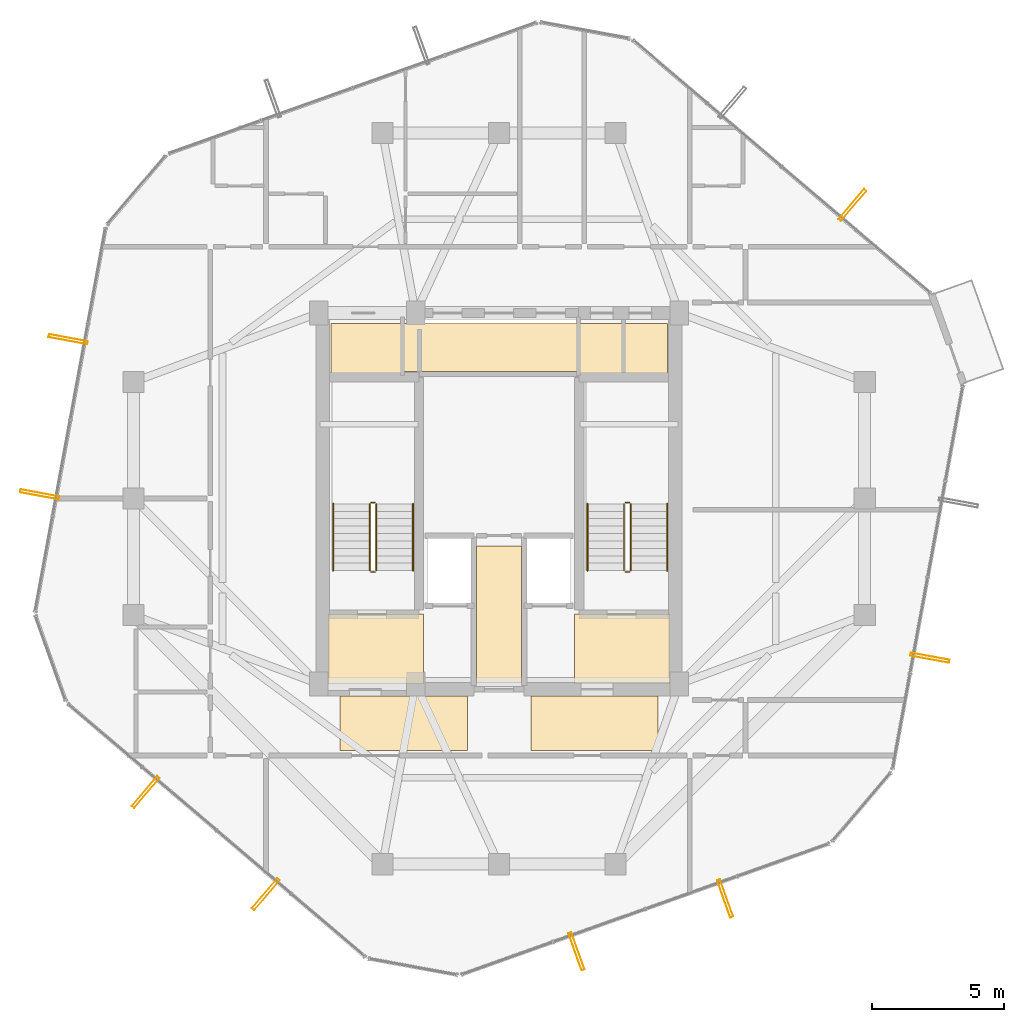
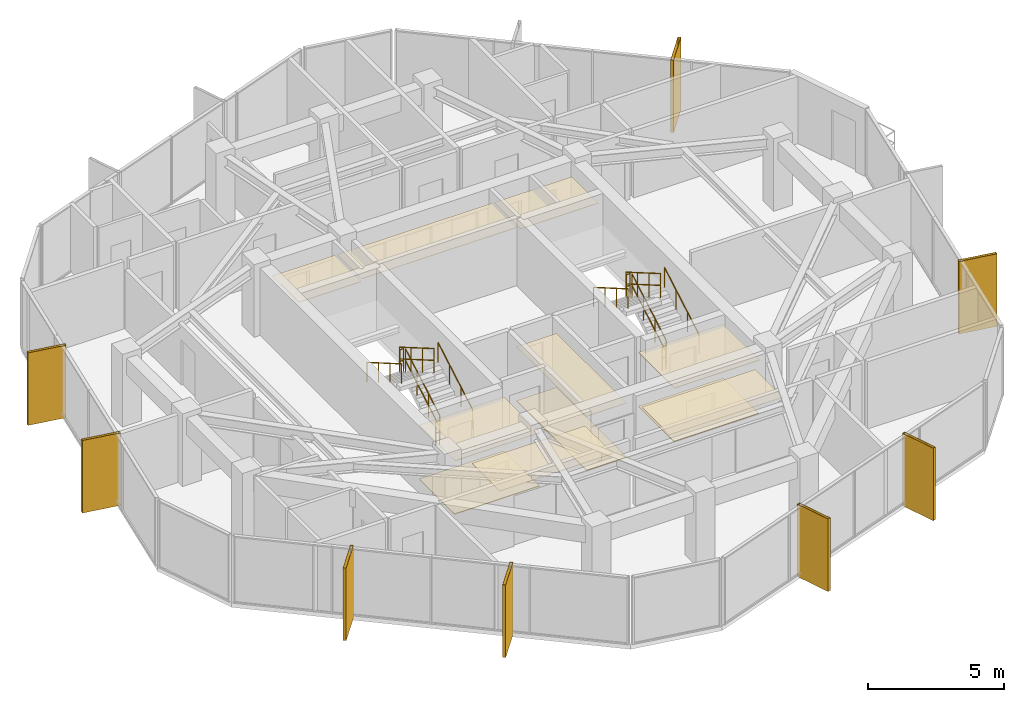
# One storey, part 28 of 29: 12 railings, 11 coverings, 8 shading devices.
"""IFC4 building model written with IfcOpenShell, lengths in metres."""

from ifc_helpers import new_model, si_unit, direction, frame, origin, origin_2d, place, context, subcontext, project, spatial, polyline, hollow_rectangle, circle, outline, extrude, material, layer, layer_set, material_profile, profile_set, type_object, element, save


model = new_model("IFC4")

# Units and contexts
model_context = context("Model", 3, precision=1e-05, world=origin(), true_north=direction((0.0, 1.0)))
body_context = subcontext(model_context, "Body", "Model", "MODEL_VIEW")
ifc_project = project(units=[si_unit("LENGTHUNIT", "METRE"), si_unit("AREAUNIT", "SQUARE_METRE"), si_unit("VOLUMEUNIT", "CUBIC_METRE"), si_unit("PLANEANGLEUNIT", "RADIAN"), si_unit("MASSUNIT", "GRAM", prefix="KILO")], contexts=[model_context])

# Site, building, storey
site_placement = place(None, origin())
site = spatial("IfcSite", under=ifc_project, at=site_placement, CompositionType="ELEMENT")
building_placement = place(site_placement, origin())
building = spatial("IfcBuilding", under=site, at=building_placement, Name="Veraguas Prism Commons", CompositionType="ELEMENT")
storey_placement = place(building_placement, frame((0.0, 0.0, 244.75)))
storey = spatial("IfcBuildingStorey", under=building, at=storey_placement, Name="L69", CompositionType="ELEMENT", Elevation=244.75)

# Shading devices
ifc_material_1 = material(Name="Anodised aluminium EN AW-6063 T6", Category="aluminium")
ifc_material_profile = material_profile(ifc_material_1, hollow_rectangle(XDim=0.1201171875, YDim=1.489990234375, WallThickness=0.006103515625, at=origin_2d()), Name="FIN120X1490X6")
ifc_profile_set = profile_set([ifc_material_profile], Name="Anodised aluminium EN AW-6063 T6")
shading_device_type = type_object("IfcShadingDeviceType", Name="Deep Pale-Metal Vertical Solar Fin 120x1490", PredefinedType="USERDEFINED", material=ifc_profile_set)
for number, where, z_axis, x_axis, name in (
    (1, (37.3369140625, 35.076904296875, -0.215087890625), (0.0, 0.0, 1.0), (-0.761538307537, 0.648119901063, 0.0), "Vertical Pale-Metal Solar Fin L69-F1A"),
    (2, (7.738525390625, 30.01171875, -0.215087890625), (0.0, 0.0, 1.0), (-0.180519145251, -0.983571470813, 0.0), "Vertical Pale-Metal Solar Fin L69-F3A"),
    (3, (6.663818359375, 24.15478515625, -0.215087890625), (0.0, 0.0, 1.0), (-0.180519145251, -0.983571470813, 0.0), "Vertical Pale-Metal Solar Fin L69-F3B"),
    (4, (10.6630859375, 12.923095703125, -0.215087890625), (0.0, 0.0, 1.0), (0.761538307537, -0.648119901063, 0.0), "Vertical Pale-Metal Solar Fin L69-F4A"),
    (5, (15.19775390625, 9.063720703125, -0.215087890625), (0.0, 0.0, 1.0), (0.761538307537, -0.648119901063, 0.0), "Vertical Pale-Metal Solar Fin L69-F4B"),
    (6, (26.924560546875, 6.911376953125, -0.215087890625), (0.0, 0.0, 1.0), (0.942056281835, 0.335454858149, 0.0), "Vertical Pale-Metal Solar Fin L69-F5A"),
    (7, (32.5341796875, 8.908935546875, -0.215087890625), (0.0, 0.0, 1.0), (0.942056281835, 0.335454858149, 0.0), "Vertical Pale-Metal Solar Fin L69-F5B"),
    (8, (40.261474609375, 17.98828125, -0.215087890625), (0.0, 0.0, 1.0), (0.180519145251, 0.983571470813, 0.0), "Vertical Pale-Metal Solar Fin L69-F6A"),
):
    element("IfcShadingDevice", number, at=place(storey_placement, frame(where, z_axis=z_axis, x_axis=x_axis)), inside=storey, type_object=shading_device_type, Name=name, ObjectType="FIN", PredefinedType="USERDEFINED", context=body_context, shape_type="SweptSolid", body=[
        extrude(hollow_rectangle(XDim=0.1201171875, YDim=1.489990234375, WallThickness=0.006103515625, at=origin_2d()), origin(), (0.0, 0.0, 1.0), 3.25),
    ])

# Coverings
ifc_material_2 = material(Name="Acoustic gypsum board")
ifc_layer_1 = layer(ifc_material_2, 0.02490234375, Name="Perforated Acoustic Ceiling Tile 25")
ifc_layer_set_1 = layer_set([ifc_layer_1], Name="Acoustic gypsum board")
covering_type_1 = type_object("IfcCoveringType", Name="Perforated Acoustic Ceiling Tile 25", PredefinedType="USERDEFINED", material=ifc_layer_set_1)
covering_1_placement = place(storey_placement, frame((0.0, 0.0, 2.425048828125)))
element("IfcCovering", 9, at=covering_1_placement, inside=storey, type_object=covering_type_1, Name="East Lobby Acoustic Ceiling L69", ObjectType="ACOUSTIC CEILING", PredefinedType="USERDEFINED", context=body_context, shape_type="SweptSolid", body=[
    extrude(outline(polyline([(26.85009765625, 17.0), (30.449951171875, 17.0), (30.449951171875, 19.64990234375), (26.85009765625, 19.64990234375), (26.85009765625, 17.0)])), origin(), (0.0, 0.0, 1.0), 0.02490234375),
])
ifc_material_3 = material(Name="Terrazzo stone finish", Category="masonry")
ifc_layer_2 = layer(ifc_material_3, 0.030029296875, Name="Polished Terrazzo Floor Finish 30", Category="masonry")
ifc_layer_set_2 = layer_set([ifc_layer_2], Name="Terrazzo stone finish")
covering_type_2 = type_object("IfcCoveringType", Name="Polished Terrazzo Floor Finish 30", PredefinedType="FLOORING", material=ifc_layer_set_2)
covering_2_placement = place(storey_placement, origin())
element("IfcCovering", 10, at=covering_2_placement, inside=storey, type_object=covering_type_2, Name="Terrazzo Lobby Flooring L69", PredefinedType="FLOORING", context=body_context, shape_type="SweptSolid", body=[
    extrude(outline(polyline([(23.14990234375, 17.050048828125), (24.85009765625, 17.050048828125), (24.85009765625, 22.199951171875), (23.14990234375, 22.199951171875), (23.14990234375, 17.050048828125)])), origin(), (0.0, 0.0, 1.0), 0.030029296875),
])
covering_3_placement = place(storey_placement, origin())
element("IfcCovering", 11, at=covering_3_placement, inside=storey, type_object=covering_type_2, Name="West FF Lobby Terrazzo Flooring L69", PredefinedType="FLOORING", context=body_context, shape_type="SweptSolid", body=[
    extrude(outline(polyline([(17.550048828125, 17.050048828125), (21.14990234375, 17.050048828125), (21.14990234375, 19.64990234375), (17.550048828125, 19.64990234375), (17.550048828125, 17.050048828125)])), origin(), (0.0, 0.0, 1.0), 0.030029296875),
])
covering_4_placement = place(storey_placement, origin())
element("IfcCovering", 12, at=covering_4_placement, inside=storey, type_object=covering_type_2, Name="East FF Lobby Terrazzo Flooring L69", PredefinedType="FLOORING", context=body_context, shape_type="SweptSolid", body=[
    extrude(outline(polyline([(26.85009765625, 17.050048828125), (30.449951171875, 17.050048828125), (30.449951171875, 19.64990234375), (26.85009765625, 19.64990234375), (26.85009765625, 17.050048828125)])), origin(), (0.0, 0.0, 1.0), 0.030029296875),
])

# Railings
ifc_material_4 = material(Name="Stainless steel AISI 316", Category="steel")
railing_type_1 = type_object("IfcRailingType", Name="Stair and Ramp Stainless Handrail 900", PredefinedType="HANDRAIL", material=ifc_material_4)
railing_1_placement = place(storey_placement, frame((20.75, 21.280029296875, 0.16259765625)))
element("IfcRailing", 13, at=railing_1_placement, inside=storey, type_object=railing_type_1, Name="Stair Handrail ST-01 L69-1", PredefinedType="HANDRAIL", context=body_context, shape_type="SweptSolid", body=[
    extrude(circle(Radius=0.02392578125, at=origin_2d()), frame((0.0, 0.0, 0.8759765625), z_axis=(0.0, 0.864913338283, 0.50192122615), x_axis=(-1.0, 0.0, 0.0)), (0.0, 0.0, 1.0), 2.91357421875),
    extrude(circle(Radius=0.02099609375, at=origin_2d()), origin(), (0.0, 0.0, 1.0), 0.851806640625),
    extrude(circle(Radius=0.02099609375, at=origin_2d()), frame((0.0, 0.840087890625, 0.487548828125)), (0.0, 0.0, 1.0), 0.851806640625),
    extrude(circle(Radius=0.02099609375, at=origin_2d()), frame((0.0, 1.679931640625, 0.974853515625)), (0.0, 0.0, 1.0), 0.851806640625),
    extrude(circle(Radius=0.02099609375, at=origin_2d()), frame((0.0, 2.52001953125, 1.46240234375)), (0.0, 0.0, 1.0), 0.851806640625),
])
railing_2_placement = place(storey_placement, frame((17.739990234375, 23.800048828125, 1.78759765625)))
element("IfcRailing", 14, at=railing_2_placement, inside=storey, type_object=railing_type_1, Name="Stair Handrail ST-01 L69-2", PredefinedType="HANDRAIL", context=body_context, shape_type="SweptSolid", body=[
    extrude(circle(Radius=0.02392578125, at=origin_2d()), frame((0.0, 0.0, 0.8759765625), z_axis=(0.0, -0.864913338283, 0.50192122615), x_axis=(1.0, 0.0, 0.0)), (0.0, 0.0, 1.0), 2.91357421875),
    extrude(circle(Radius=0.02099609375, at=origin_2d()), origin(), (0.0, 0.0, 1.0), 0.851806640625),
    extrude(circle(Radius=0.02099609375, at=origin_2d()), frame((0.0, -0.840087890625, 0.487548828125)), (0.0, 0.0, 1.0), 0.851806640625),
    extrude(circle(Radius=0.02099609375, at=origin_2d()), frame((0.0, -1.679931640625, 0.974853515625)), (0.0, 0.0, 1.0), 0.851806640625),
    extrude(circle(Radius=0.02099609375, at=origin_2d()), frame((0.0, -2.52001953125, 1.46240234375)), (0.0, 0.0, 1.0), 0.851806640625),
])
railing_3_placement = place(storey_placement, frame((30.35009765625, 21.280029296875, 0.16259765625)))
element("IfcRailing", 15, at=railing_3_placement, inside=storey, type_object=railing_type_1, Name="Stair Handrail ST-02 L69-1", PredefinedType="HANDRAIL", context=body_context, shape_type="SweptSolid", body=[
    extrude(circle(Radius=0.02392578125, at=origin_2d()), frame((0.0, 0.0, 0.8759765625), z_axis=(0.0, 0.864913338283, 0.50192122615), x_axis=(-1.0, 0.0, 0.0)), (0.0, 0.0, 1.0), 2.91357421875),
    extrude(circle(Radius=0.02099609375, at=origin_2d()), origin(), (0.0, 0.0, 1.0), 0.851806640625),
    extrude(circle(Radius=0.02099609375, at=origin_2d()), frame((0.0, 0.840087890625, 0.487548828125)), (0.0, 0.0, 1.0), 0.851806640625),
    extrude(circle(Radius=0.02099609375, at=origin_2d()), frame((0.0, 1.679931640625, 0.974853515625)), (0.0, 0.0, 1.0), 0.851806640625),
    extrude(circle(Radius=0.02099609375, at=origin_2d()), frame((0.0, 2.52001953125, 1.46240234375)), (0.0, 0.0, 1.0), 0.851806640625),
])
railing_4_placement = place(storey_placement, frame((27.340087890625, 23.800048828125, 1.78759765625)))
element("IfcRailing", 16, at=railing_4_placement, inside=storey, type_object=railing_type_1, Name="Stair Handrail ST-02 L69-2", PredefinedType="HANDRAIL", context=body_context, shape_type="SweptSolid", body=[
    extrude(circle(Radius=0.02392578125, at=origin_2d()), frame((0.0, 0.0, 0.8759765625), z_axis=(0.0, -0.864913338283, 0.50192122615), x_axis=(1.0, 0.0, 0.0)), (0.0, 0.0, 1.0), 2.91357421875),
    extrude(circle(Radius=0.02099609375, at=origin_2d()), origin(), (0.0, 0.0, 1.0), 0.851806640625),
    extrude(circle(Radius=0.02099609375, at=origin_2d()), frame((0.0, -0.840087890625, 0.487548828125)), (0.0, 0.0, 1.0), 0.851806640625),
    extrude(circle(Radius=0.02099609375, at=origin_2d()), frame((0.0, -1.679931640625, 0.974853515625)), (0.0, 0.0, 1.0), 0.851806640625),
    extrude(circle(Radius=0.02099609375, at=origin_2d()), frame((0.0, -2.52001953125, 1.46240234375)), (0.0, 0.0, 1.0), 0.851806640625),
])
railing_type_2 = type_object("IfcRailingType", Name="Stairwell Safety Guardrail 1100", PredefinedType="GUARDRAIL", material=ifc_material_4)
railing_5_placement = place(storey_placement, frame((19.3701171875, 21.280029296875, 0.16259765625)))
element("IfcRailing", 17, at=railing_5_placement, inside=storey, type_object=railing_type_2, Name="Stair Guard ST-01 L69-1", PredefinedType="GUARDRAIL", context=body_context, shape_type="SweptSolid", body=[
    extrude(circle(Radius=0.02392578125, at=origin_2d()), frame((0.0, 0.0, 1.076171875), z_axis=(0.0, 0.864913338283, 0.50192122615), x_axis=(-1.0, 0.0, 0.0)), (0.0, 0.0, 1.0), 2.91357421875),
    extrude(circle(Radius=0.02392578125, at=origin_2d()), frame((0.0, 0.0, 0.550048828125), z_axis=(0.0, 0.864913338283, 0.50192122615), x_axis=(-1.0, 0.0, 0.0)), (0.0, 0.0, 1.0), 2.91357421875),
    extrude(circle(Radius=0.02099609375, at=origin_2d()), origin(), (0.0, 0.0, 1.0), 1.052001953125),
    extrude(circle(Radius=0.02099609375, at=origin_2d()), frame((0.0, 0.840087890625, 0.487548828125)), (0.0, 0.0, 1.0), 1.052001953125),
    extrude(circle(Radius=0.02099609375, at=origin_2d()), frame((0.0, 1.679931640625, 0.974853515625)), (0.0, 0.0, 1.0), 1.052001953125),
    extrude(circle(Radius=0.02099609375, at=origin_2d()), frame((0.0, 2.52001953125, 1.46240234375)), (0.0, 0.0, 1.0), 1.052001953125),
])
railing_6_placement = place(storey_placement, frame((19.320068359375, 23.85009765625, 1.625)))
element("IfcRailing", 18, at=railing_6_placement, inside=storey, type_object=railing_type_2, Name="Stair Guard ST-01 L69-2", PredefinedType="GUARDRAIL", context=body_context, shape_type="SweptSolid", body=[
    extrude(circle(Radius=0.02392578125, at=origin_2d()), frame((0.0, 0.0, 1.076171875), z_axis=(-1.0, 0.0, 0.0), x_axis=(0.0, -1.0, 0.0)), (0.0, 0.0, 1.0), 0.150146484375),
    extrude(circle(Radius=0.02392578125, at=origin_2d()), frame((0.0, 0.0, 0.550048828125), z_axis=(-1.0, 0.0, 0.0), x_axis=(0.0, -1.0, 0.0)), (0.0, 0.0, 1.0), 0.150146484375),
    extrude(circle(Radius=0.02099609375, at=origin_2d()), origin(), (0.0, 0.0, 1.0), 1.052001953125),
    extrude(circle(Radius=0.02099609375, at=origin_2d()), frame((-0.150146484375, 0.0, 0.0)), (0.0, 0.0, 1.0), 1.052001953125),
])
railing_7_placement = place(storey_placement, frame((19.1201171875, 23.800048828125, 1.78759765625)))
element("IfcRailing", 19, at=railing_7_placement, inside=storey, type_object=railing_type_2, Name="Stair Guard ST-01 L69-3", PredefinedType="GUARDRAIL", context=body_context, shape_type="SweptSolid", body=[
    extrude(circle(Radius=0.02392578125, at=origin_2d()), frame((0.0, 0.0, 1.076171875), z_axis=(0.0, -0.864913338283, 0.50192122615), x_axis=(1.0, 0.0, 0.0)), (0.0, 0.0, 1.0), 2.91357421875),
    extrude(circle(Radius=0.02392578125, at=origin_2d()), frame((0.0, 0.0, 0.550048828125), z_axis=(0.0, -0.864913338283, 0.50192122615), x_axis=(1.0, 0.0, 0.0)), (0.0, 0.0, 1.0), 2.91357421875),
    extrude(circle(Radius=0.02099609375, at=origin_2d()), origin(), (0.0, 0.0, 1.0), 1.052001953125),
    extrude(circle(Radius=0.02099609375, at=origin_2d()), frame((0.0, -0.840087890625, 0.487548828125)), (0.0, 0.0, 1.0), 1.052001953125),
    extrude(circle(Radius=0.02099609375, at=origin_2d()), frame((0.0, -1.679931640625, 0.974853515625)), (0.0, 0.0, 1.0), 1.052001953125),
    extrude(circle(Radius=0.02099609375, at=origin_2d()), frame((0.0, -2.52001953125, 1.46240234375)), (0.0, 0.0, 1.0), 1.052001953125),
])
railing_8_placement = place(storey_placement, frame((19.320068359375, 21.22998046875, 0.0)))
element("IfcRailing", 20, at=railing_8_placement, inside=storey, type_object=railing_type_2, Name="Stair Guard ST-01 L69-4", PredefinedType="GUARDRAIL", context=body_context, shape_type="SweptSolid", body=[
    extrude(circle(Radius=0.02392578125, at=origin_2d()), frame((0.0, 0.0, 1.076171875), z_axis=(-1.0, 0.0, 0.0), x_axis=(0.0, -1.0, 0.0)), (0.0, 0.0, 1.0), 0.150146484375),
    extrude(circle(Radius=0.02392578125, at=origin_2d()), frame((0.0, 0.0, 0.550048828125), z_axis=(-1.0, 0.0, 0.0), x_axis=(0.0, -1.0, 0.0)), (0.0, 0.0, 1.0), 0.150146484375),
    extrude(circle(Radius=0.02099609375, at=origin_2d()), origin(), (0.0, 0.0, 1.0), 1.052001953125),
    extrude(circle(Radius=0.02099609375, at=origin_2d()), frame((-0.150146484375, 0.0, 0.0)), (0.0, 0.0, 1.0), 1.052001953125),
])
railing_9_placement = place(storey_placement, frame((28.969970703125, 21.280029296875, 0.16259765625)))
element("IfcRailing", 21, at=railing_9_placement, inside=storey, type_object=railing_type_2, Name="Stair Guard ST-02 L69-1", PredefinedType="GUARDRAIL", context=body_context, shape_type="SweptSolid", body=[
    extrude(circle(Radius=0.02392578125, at=origin_2d()), frame((0.0, 0.0, 1.076171875), z_axis=(0.0, 0.864913338283, 0.50192122615), x_axis=(-1.0, 0.0, 0.0)), (0.0, 0.0, 1.0), 2.91357421875),
    extrude(circle(Radius=0.02392578125, at=origin_2d()), frame((0.0, 0.0, 0.550048828125), z_axis=(0.0, 0.864913338283, 0.50192122615), x_axis=(-1.0, 0.0, 0.0)), (0.0, 0.0, 1.0), 2.91357421875),
    extrude(circle(Radius=0.02099609375, at=origin_2d()), origin(), (0.0, 0.0, 1.0), 1.052001953125),
    extrude(circle(Radius=0.02099609375, at=origin_2d()), frame((0.0, 0.840087890625, 0.487548828125)), (0.0, 0.0, 1.0), 1.052001953125),
    extrude(circle(Radius=0.02099609375, at=origin_2d()), frame((0.0, 1.679931640625, 0.974853515625)), (0.0, 0.0, 1.0), 1.052001953125),
    extrude(circle(Radius=0.02099609375, at=origin_2d()), frame((0.0, 2.52001953125, 1.46240234375)), (0.0, 0.0, 1.0), 1.052001953125),
])
railing_10_placement = place(storey_placement, frame((28.919921875, 23.85009765625, 1.625)))
element("IfcRailing", 22, at=railing_10_placement, inside=storey, type_object=railing_type_2, Name="Stair Guard ST-02 L69-2", PredefinedType="GUARDRAIL", context=body_context, shape_type="SweptSolid", body=[
    extrude(circle(Radius=0.02392578125, at=origin_2d()), frame((0.0, 0.0, 1.076171875), z_axis=(-1.0, 0.0, 0.0), x_axis=(0.0, -1.0, 0.0)), (0.0, 0.0, 1.0), 0.14990234375),
    extrude(circle(Radius=0.02392578125, at=origin_2d()), frame((0.0, 0.0, 0.550048828125), z_axis=(-1.0, 0.0, 0.0), x_axis=(0.0, -1.0, 0.0)), (0.0, 0.0, 1.0), 0.14990234375),
    extrude(circle(Radius=0.02099609375, at=origin_2d()), origin(), (0.0, 0.0, 1.0), 1.052001953125),
    extrude(circle(Radius=0.02099609375, at=origin_2d()), frame((-0.14990234375, 0.0, 0.0)), (0.0, 0.0, 1.0), 1.052001953125),
])
railing_11_placement = place(storey_placement, frame((28.719970703125, 23.800048828125, 1.78759765625)))
element("IfcRailing", 23, at=railing_11_placement, inside=storey, type_object=railing_type_2, Name="Stair Guard ST-02 L69-3", PredefinedType="GUARDRAIL", context=body_context, shape_type="SweptSolid", body=[
    extrude(circle(Radius=0.02392578125, at=origin_2d()), frame((0.0, 0.0, 1.076171875), z_axis=(0.0, -0.864913338283, 0.50192122615), x_axis=(1.0, 0.0, 0.0)), (0.0, 0.0, 1.0), 2.91357421875),
    extrude(circle(Radius=0.02392578125, at=origin_2d()), frame((0.0, 0.0, 0.550048828125), z_axis=(0.0, -0.864913338283, 0.50192122615), x_axis=(1.0, 0.0, 0.0)), (0.0, 0.0, 1.0), 2.91357421875),
    extrude(circle(Radius=0.02099609375, at=origin_2d()), origin(), (0.0, 0.0, 1.0), 1.052001953125),
    extrude(circle(Radius=0.02099609375, at=origin_2d()), frame((0.0, -0.840087890625, 0.487548828125)), (0.0, 0.0, 1.0), 1.052001953125),
    extrude(circle(Radius=0.02099609375, at=origin_2d()), frame((0.0, -1.679931640625, 0.974853515625)), (0.0, 0.0, 1.0), 1.052001953125),
    extrude(circle(Radius=0.02099609375, at=origin_2d()), frame((0.0, -2.52001953125, 1.46240234375)), (0.0, 0.0, 1.0), 1.052001953125),
])
railing_12_placement = place(storey_placement, frame((28.919921875, 21.22998046875, 0.0)))
element("IfcRailing", 24, at=railing_12_placement, inside=storey, type_object=railing_type_2, Name="Stair Guard ST-02 L69-4", PredefinedType="GUARDRAIL", context=body_context, shape_type="SweptSolid", body=[
    extrude(circle(Radius=0.02392578125, at=origin_2d()), frame((0.0, 0.0, 1.076171875), z_axis=(-1.0, 0.0, 0.0), x_axis=(0.0, -1.0, 0.0)), (0.0, 0.0, 1.0), 0.14990234375),
    extrude(circle(Radius=0.02392578125, at=origin_2d()), frame((0.0, 0.0, 0.550048828125), z_axis=(-1.0, 0.0, 0.0), x_axis=(0.0, -1.0, 0.0)), (0.0, 0.0, 1.0), 0.14990234375),
    extrude(circle(Radius=0.02099609375, at=origin_2d()), origin(), (0.0, 0.0, 1.0), 1.052001953125),
    extrude(circle(Radius=0.02099609375, at=origin_2d()), frame((-0.14990234375, 0.0, 0.0)), (0.0, 0.0, 1.0), 1.052001953125),
])

# Coverings
ifc_layer_3 = layer(ifc_material_2, 0.02001953125, Name="Suspended Gypsum Ceiling 20")
ifc_layer_set_3 = layer_set([ifc_layer_3], Name="Acoustic gypsum board")
covering_type_3 = type_object("IfcCoveringType", Name="Suspended Gypsum Ceiling 20", PredefinedType="CEILING", material=ifc_layer_set_3)
covering_5_placement = place(storey_placement, frame((0.0, 0.0, 2.429931640625)))
element("IfcCovering", 25, at=covering_5_placement, inside=storey, type_object=covering_type_3, Name="West Lobby Suspended Gypsum Ceiling L69", PredefinedType="CEILING", context=body_context, shape_type="SweptSolid", body=[
    extrude(outline(polyline([(17.550048828125, 17.0), (21.14990234375, 17.0), (21.14990234375, 19.64990234375), (17.550048828125, 19.64990234375), (17.550048828125, 17.0)])), origin(), (0.0, 0.0, 1.0), 0.02001953125),
])
covering_6_placement = place(storey_placement, frame((0.0, 0.0, 2.429931640625)))
element("IfcCovering", 26, at=covering_6_placement, inside=storey, type_object=covering_type_3, Name="Core Lobby Acoustic Ceiling L69-1", PredefinedType="CEILING", context=body_context, shape_type="SweptSolid", body=[
    extrude(outline(polyline([(18.0, 14.5), (22.800048828125, 14.5), (22.800048828125, 16.550048828125), (18.0, 16.550048828125), (18.0, 14.5)])), origin(), (0.0, 0.0, 1.0), 0.02001953125),
])
covering_7_placement = place(storey_placement, frame((0.0, 0.0, 2.429931640625)))
element("IfcCovering", 27, at=covering_7_placement, inside=storey, type_object=covering_type_3, Name="Core Lobby Acoustic Ceiling L69-2", PredefinedType="CEILING", context=body_context, shape_type="SweptSolid", body=[
    extrude(outline(polyline([(25.199951171875, 14.5), (30.0, 14.5), (30.0, 16.550048828125), (25.199951171875, 16.550048828125), (25.199951171875, 14.5)])), origin(), (0.0, 0.0, 1.0), 0.02001953125),
])
covering_8_placement = place(storey_placement, frame((0.0, 0.0, 2.429931640625)))
element("IfcCovering", 28, at=covering_8_placement, inside=storey, type_object=covering_type_3, Name="Core Lobby Acoustic Ceiling L69-3", PredefinedType="CEILING", context=body_context, shape_type="SweptSolid", body=[
    extrude(outline(polyline([(23.14990234375, 17.050048828125), (24.85009765625, 17.050048828125), (24.85009765625, 22.199951171875), (23.14990234375, 22.199951171875), (23.14990234375, 17.050048828125)])), origin(), (0.0, 0.0, 1.0), 0.02001953125),
])
covering_9_placement = place(storey_placement, frame((0.0, 0.0, 2.429931640625)))
element("IfcCovering", 29, at=covering_9_placement, inside=storey, type_object=covering_type_3, Name="Core Lobby Acoustic Ceiling L69-4", PredefinedType="CEILING", context=body_context, shape_type="SweptSolid", body=[
    extrude(outline(polyline([(17.64990234375, 28.64990234375), (20.300048828125, 28.64990234375), (20.300048828125, 30.60009765625), (17.64990234375, 30.60009765625), (17.64990234375, 28.64990234375)])), origin(), (0.0, 0.0, 1.0), 0.02001953125),
])
covering_10_placement = place(storey_placement, frame((0.0, 0.0, 2.429931640625)))
element("IfcCovering", 30, at=covering_10_placement, inside=storey, type_object=covering_type_3, Name="Core Lobby Acoustic Ceiling L69-5", PredefinedType="CEILING", context=body_context, shape_type="SweptSolid", body=[
    extrude(outline(polyline([(27.050048828125, 28.64990234375), (30.35009765625, 28.64990234375), (30.35009765625, 30.60009765625), (27.050048828125, 30.60009765625), (27.050048828125, 28.64990234375)])), origin(), (0.0, 0.0, 1.0), 0.02001953125),
])
covering_11_placement = place(storey_placement, frame((0.0, 0.0, 2.429931640625)))
element("IfcCovering", 31, at=covering_11_placement, inside=storey, type_object=covering_type_3, Name="Core Lobby Acoustic Ceiling L69-6", PredefinedType="CEILING", context=body_context, shape_type="SweptSolid", body=[
    extrude(outline(polyline([(20.39990234375, 28.800048828125), (26.949951171875, 28.800048828125), (26.949951171875, 30.60009765625), (20.39990234375, 30.60009765625), (20.39990234375, 28.800048828125)])), origin(), (0.0, 0.0, 1.0), 0.02001953125),
])

save(model, "model.ifc")
